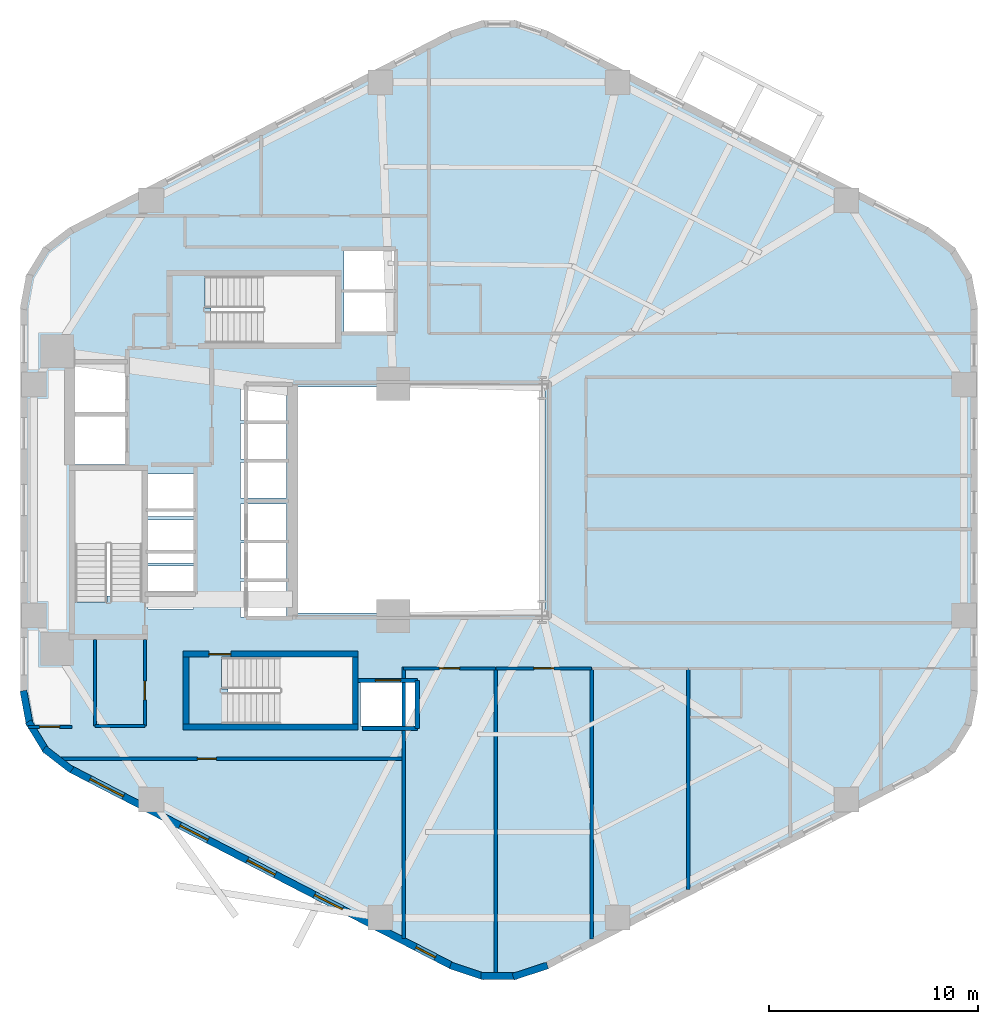
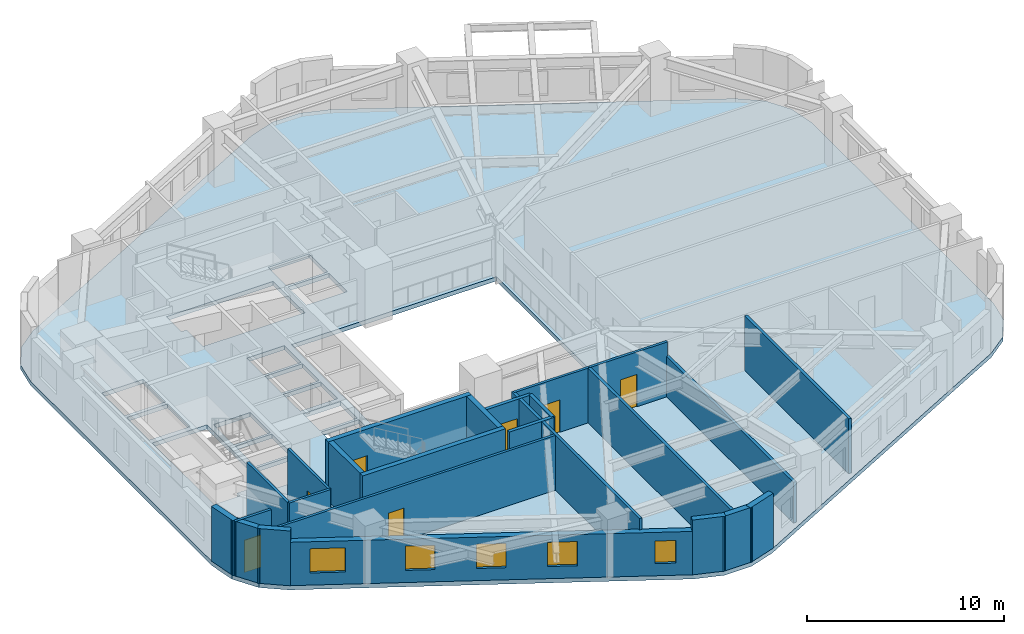
# One storey, part 2 of 7: 25 walls, 7 doors, 5 windows, 1 slab, 12 openings.
"""IFC4 building model written with IfcOpenShell, lengths in metres."""

from ifc_helpers import new_model, si_unit, direction, frame, frame_2d, origin, place, context, subcontext, project, spatial, polyline, rectangle, outline, extrude, material, layer, layer_set, type_object, element, fill, save


model = new_model("IFC4")

# Units and contexts
model_context = context("Model", 3, precision=1e-05, world=origin(), true_north=direction((0.0, 1.0)))
body_context = subcontext(model_context, "Body", "Model", "MODEL_VIEW")
ifc_project = project(units=[si_unit("LENGTHUNIT", "METRE"), si_unit("AREAUNIT", "SQUARE_METRE"), si_unit("VOLUMEUNIT", "CUBIC_METRE"), si_unit("PLANEANGLEUNIT", "RADIAN"), si_unit("MASSUNIT", "GRAM", prefix="KILO"), si_unit("THERMODYNAMICTEMPERATUREUNIT", "KELVIN"), si_unit("POWERUNIT", "WATT")], contexts=[model_context])

# Site, building, storey
site_placement = place(None, origin())
site = spatial("IfcSite", under=ifc_project, at=site_placement, CompositionType="ELEMENT")
building_placement = place(site_placement, origin())
building = spatial("IfcBuilding", under=site, at=building_placement, Name="Skarre Station Tower", CompositionType="ELEMENT")
storey_placement = place(building_placement, frame((0.0, 0.0, 78.10009765625)))
storey = spatial("IfcBuildingStorey", under=building, at=storey_placement, Name="L20", CompositionType="ELEMENT", Elevation=78.10009765625)

# Slab
ifc_material_1 = material(Name="Concrete C50/60", Category="concrete")
ifc_layer_1 = layer(ifc_material_1, 0.260009765625, Name="Concrete C50/60")
ifc_layer_set_1 = layer_set([ifc_layer_1], Name="Concrete C50/60")
slab_type = type_object("IfcSlabType", Name="Tower Typical Composite Floor Slab 260", PredefinedType="FLOOR", material=ifc_layer_set_1)
slab_placement = place(storey_placement, frame((0.0, 0.0, -0.260009765625)))
element("IfcSlab", 1, at=slab_placement, inside=storey, type_object=slab_type, Name="L20 Zone 1 Structural Floor Slab", PredefinedType="FLOOR", context=body_context, shape_type="SweptSolid", body=[
    extrude(outline(polyline([(60.262939453125, 33.201904296875), (59.98193359375, 34.72412109375), (59.177001953125, 36.044921875), (57.9541015625, 36.991943359375), (39.708984375, 46.407958984375), (38.196044921875, 46.906005859375), (36.60400390625, 46.906005859375), (35.091064453125, 46.407958984375), (16.845947265625, 36.991943359375), (15.623046875, 36.044921875), (14.818115234375, 34.72412109375), (14.537109375, 33.201904296875), (14.537109375, 14.798095703125), (14.818115234375, 13.27587890625), (15.623046875, 11.955078125), (16.845947265625, 11.008056640625), (35.091064453125, 1.592041015625), (36.60400390625, 1.093994140625), (38.196044921875, 1.093994140625), (39.708984375, 1.592041015625), (57.9541015625, 11.008056640625), (59.177001953125, 11.955078125), (59.98193359375, 13.27587890625), (60.262939453125, 14.798095703125), (60.262939453125, 33.201904296875)]), holes=[polyline([(18.669921875, 19.419921875), (18.669921875, 19.123046875), (17.14990234375, 19.123046875), (17.14990234375, 25.39990234375), (20.35009765625, 25.39990234375), (20.35009765625, 19.419921875), (18.669921875, 19.419921875)]), polyline([(24.449951171875, 14.97998046875), (24.153076171875, 14.97998046875), (24.153076171875, 16.5), (30.39990234375, 16.5), (30.39990234375, 13.300048828125), (24.449951171875, 13.300048828125), (24.449951171875, 14.97998046875)]), polyline([(23.64990234375, 33.179931640625), (23.35302734375, 33.179931640625), (23.35302734375, 34.699951171875), (29.60009765625, 34.699951171875), (29.60009765625, 31.5), (23.64990234375, 31.5), (23.64990234375, 33.179931640625)]), polyline([(17.14990234375, 28.0), (19.550048828125, 28.0), (19.550048828125, 25.699951171875), (17.14990234375, 25.699951171875), (17.14990234375, 28.0)]), polyline([(17.14990234375, 30.5), (19.550048828125, 30.5), (19.550048828125, 28.199951171875), (17.14990234375, 28.199951171875), (17.14990234375, 30.5)]), polyline([(30.800048828125, 15.300048828125), (33.39990234375, 15.300048828125), (33.39990234375, 13.199951171875), (30.800048828125, 13.199951171875), (30.800048828125, 15.300048828125)]), polyline([(25.050048828125, 20.10009765625), (27.25, 20.10009765625), (27.25, 18.39990234375), (25.050048828125, 18.39990234375), (25.050048828125, 20.10009765625)]), polyline([(25.050048828125, 21.949951171875), (27.25, 21.949951171875), (27.25, 20.25), (25.050048828125, 20.25), (25.050048828125, 21.949951171875)]), polyline([(25.050048828125, 23.800048828125), (27.25, 23.800048828125), (27.25, 22.10009765625), (25.050048828125, 22.10009765625), (25.050048828125, 23.800048828125)]), polyline([(25.050048828125, 25.800048828125), (27.25, 25.800048828125), (27.25, 24.10009765625), (25.050048828125, 24.10009765625), (25.050048828125, 25.800048828125)]), polyline([(25.050048828125, 27.64990234375), (27.25, 27.64990234375), (27.25, 25.949951171875), (25.050048828125, 25.949951171875), (25.050048828125, 27.64990234375)]), polyline([(25.050048828125, 29.5), (27.25, 29.5), (27.25, 27.800048828125), (25.050048828125, 27.800048828125), (25.050048828125, 29.5)]), polyline([(20.64990234375, 20.85009765625), (22.800048828125, 20.85009765625), (22.800048828125, 18.800048828125), (20.64990234375, 18.800048828125), (20.64990234375, 20.85009765625)]), polyline([(20.64990234375, 23.050048828125), (22.800048828125, 23.050048828125), (22.800048828125, 21.0), (20.64990234375, 21.0), (20.64990234375, 23.050048828125)]), polyline([(20.64990234375, 25.25), (22.800048828125, 25.25), (22.800048828125, 23.199951171875), (20.64990234375, 23.199951171875), (20.64990234375, 25.25)]), polyline([(30.0, 33.89990234375), (32.39990234375, 33.89990234375), (32.39990234375, 32.050048828125), (30.0, 32.050048828125), (30.0, 33.89990234375)]), polyline([(30.0, 35.89990234375), (32.39990234375, 35.89990234375), (32.39990234375, 34.050048828125), (30.0, 34.050048828125), (30.0, 35.89990234375)]), polyline([(27.60009765625, 29.39990234375), (39.60009765625, 29.39990234375), (39.60009765625, 18.60009765625), (27.60009765625, 18.60009765625), (27.60009765625, 29.39990234375)])]), origin(), (0.0, 0.0, 1.0), 0.260009765625),
])

# Walls
ifc_material_2 = material(Name="Acoustic Steel-Stud Gypsum Partition", Category="steel")
ifc_layer_2 = layer(ifc_material_2, 0.14990234375, Name="Acoustic Steel-Stud Gypsum Partition")
ifc_layer_set_2 = layer_set([ifc_layer_2], Name="Acoustic Steel-Stud Gypsum Partition")
wall_type_1 = type_object("IfcWallType", Name="Fire-Rated Corridor Acoustic Partition 150", PredefinedType="PARTITIONING", material=ifc_layer_set_2)
wall_1_placement = place(storey_placement, frame((18.10009765625, 17.340087890625, 0.0), z_axis=(0.0, 0.0, 1.0), x_axis=(0.0, -1.0, 0.0)))
element("IfcWall", 2, at=wall_1_placement, inside=storey, type_object=wall_type_1, Name="L20 Interior Partition WL-PT-L20-CSVC-W", PredefinedType="PARTITIONING", context=body_context, shape_type="SweptSolid", body=[
    extrude(rectangle(XDim=4.14013671875, YDim=0.14990234375, at=frame_2d((2.070068359375, 0.0))), origin(), (0.0, 0.0, 1.0), 3.389892578125),
])
wall_2_placement = place(storey_placement, frame((18.10009765625, 13.199951171875, 0.0), z_axis=(0.0, 0.0, 1.0), x_axis=(1.0, 0.0, 0.0)))
element("IfcWall", 3, at=wall_2_placement, inside=storey, type_object=wall_type_1, Name="L20 Interior Partition WL-PT-L20-CSVC-S", PredefinedType="PARTITIONING", context=body_context, shape_type="SweptSolid", body=[
    extrude(rectangle(XDim=2.389892578125, YDim=0.14990234375, at=frame_2d((1.19482421875, 0.0))), origin(), (0.0, 0.0, 1.0), 3.389892578125),
])

# Wall, opening, door
wall_3_placement = place(storey_placement, frame((20.489990234375, 13.199951171875, 0.0), z_axis=(0.0, 0.0, 1.0), x_axis=(0.0, 1.0, 0.0)))
wall_3 = element("IfcWall", 4, at=wall_3_placement, inside=storey, type_object=wall_type_1, Name="L20 Interior Partition WL-PT-L20-CSVC-E", PredefinedType="PARTITIONING", context=body_context, shape_type="SweptSolid", body=[
    extrude(rectangle(XDim=4.14013671875, YDim=0.14990234375, at=frame_2d((2.070068359375, 0.0))), origin(), (0.0, 0.0, 1.0), 3.389892578125),
])
opening_1_placement = place(wall_3_placement, frame((1.25, 0.0, 0.0)))
opening_1 = element("IfcOpeningElement", 5, at=opening_1_placement, cuts=wall_3, Name="Opening DR-SVC90", PredefinedType="OPENING", context=body_context, shape_type="SweptSolid", body=[
    extrude(rectangle(XDim=0.89990234375, YDim=2.0, at=frame_2d((0.449951171875, 1.0))), frame((0.0, 0.0849609375, 0.0), z_axis=(0.0, -1.0, 0.0), x_axis=(1.0, 0.0, 0.0)), (0.0, 0.0, 1.0), 0.169921875),
])
ifc_material_3 = material(Name="Powder-Coated Hollow-Metal Acoustic Fire Leaf", Category="steel")
door_type_1 = type_object("IfcDoorType", Name="Service & Riser Fire Door FD60 900x2100", OperationType="SINGLE_SWING_LEFT", PredefinedType="DOOR", material=ifc_material_3)
door_1_placement = place(opening_1_placement, origin())
door_1 = element("IfcDoor", 6, at=door_1_placement, inside=storey, type_object=door_type_1, Name="L20 Core Pantry Door", OperationType="SINGLE_SWING_LEFT", OverallHeight=2.0, OverallWidth=0.89990234375, PredefinedType="DOOR", context=body_context, shape_type="SweptSolid", body=[
    extrude(rectangle(XDim=0.89990234375, YDim=2.0, at=frame_2d((0.449951171875, 1.0))), frame((0.0, 0.02490234375, 0.0), z_axis=(0.0, -1.0, 0.0), x_axis=(1.0, 0.0, 0.0)), (0.0, 0.0, 1.0), 0.050048828125),
])
fill(opening_1, door_1)

wall_4_placement = place(storey_placement, frame((16.487060546875, 11.639892578125, 0.0), z_axis=(0.0, 0.0, 1.0), x_axis=(1.0, 0.0, 0.0)))
wall_4 = element("IfcWall", 7, at=wall_4_placement, inside=storey, type_object=wall_type_1, Name="L20 Interior Partition WL-PT-L20-SWP-N", PredefinedType="PARTITIONING", context=body_context, shape_type="SweptSolid", body=[
    extrude(rectangle(XDim=16.363037109375, YDim=0.14990234375, at=frame_2d((8.181640625, 0.0))), origin(), (0.0, 0.0, 1.0), 3.389892578125),
])
opening_2_placement = place(wall_4_placement, frame((6.512939453125, 0.0, 0.0)))
opening_2 = element("IfcOpeningElement", 8, at=opening_2_placement, cuts=wall_4, Name="Opening DR-SVC90", PredefinedType="OPENING", context=body_context, shape_type="SweptSolid", body=[
    extrude(rectangle(XDim=0.89990234375, YDim=2.0, at=frame_2d((0.449951171875, 1.0))), frame((0.0, 0.0849609375, 0.0), z_axis=(0.0, -1.0, 0.0), x_axis=(1.0, 0.0, 0.0)), (0.0, 0.0, 1.0), 0.169921875),
])
door_2_placement = place(opening_2_placement, origin())
door_2 = element("IfcDoor", 9, at=door_2_placement, inside=storey, type_object=door_type_1, Name="L20 Floor Public Toilets Door", OperationType="SINGLE_SWING_LEFT", OverallHeight=2.0, OverallWidth=0.89990234375, PredefinedType="DOOR", context=body_context, shape_type="SweptSolid", body=[
    extrude(rectangle(XDim=0.89990234375, YDim=2.0, at=frame_2d((0.449951171875, 1.0))), frame((0.0, 0.02490234375, 0.0), z_axis=(0.0, -1.0, 0.0), x_axis=(1.0, 0.0, 0.0)), (0.0, 0.0, 1.0), 0.050048828125),
])
fill(opening_2, door_2)

wall_5_placement = place(storey_placement, frame((17.02001953125, 13.159912109375, 0.0), z_axis=(0.0, 0.0, 1.0), x_axis=(-1.0, 0.0, 0.0)))
wall_5 = element("IfcWall", 10, at=wall_5_placement, inside=storey, type_object=wall_type_1, Name="L20 Interior Partition WL-PT-L20-WW1-CW", PredefinedType="PARTITIONING", context=body_context, shape_type="SweptSolid", body=[
    extrude(rectangle(XDim=2.1201171875, YDim=0.14990234375, at=frame_2d((1.06005859375, 0.0))), origin(), (0.0, 0.0, 1.0), 3.389892578125),
])
opening_3_placement = place(wall_5_placement, frame((0.596923828125, 0.0, 0.0)))
opening_3 = element("IfcOpeningElement", 11, at=opening_3_placement, cuts=wall_5, Name="Opening DR-FD60", PredefinedType="OPENING", context=body_context, shape_type="SweptSolid", body=[
    extrude(rectangle(XDim=0.9599609375, YDim=2.0, at=frame_2d((0.47998046875, 1.0))), frame((0.0, 0.0849609375, 0.0), z_axis=(0.0, -1.0, 0.0), x_axis=(1.0, 0.0, 0.0)), (0.0, 0.0, 1.0), 0.169921875),
])
ifc_material_4 = material(Name="Nordic White-Oak Veneer Solid-Core Fire Leaf", Category="wood")
door_type_2 = type_object("IfcDoorType", Name="Corridor Suite Entry Fire Door FD60 960x2150", OperationType="SINGLE_SWING_LEFT", PredefinedType="DOOR", material=ifc_material_4)
door_3_placement = place(opening_3_placement, origin())
door_3 = element("IfcDoor", 12, at=door_3_placement, inside=storey, type_object=door_type_2, Name="L20 WW1 Entry Door", OperationType="SINGLE_SWING_LEFT", OverallHeight=2.0, OverallWidth=0.9599609375, PredefinedType="DOOR", context=body_context, shape_type="SweptSolid", body=[
    extrude(rectangle(XDim=0.9599609375, YDim=2.0, at=frame_2d((0.47998046875, 1.0))), frame((0.0, 0.02490234375, 0.0), z_axis=(0.0, -1.0, 0.0), x_axis=(1.0, 0.0, 0.0)), (0.0, 0.0, 1.0), 0.050048828125),
])
fill(opening_3, door_3)

wall_6_placement = place(storey_placement, frame((32.85009765625, 15.9599609375, 0.0), z_axis=(0.0, 0.0, 1.0), x_axis=(1.0, 0.0, 0.0)))
wall_6 = element("IfcWall", 13, at=wall_6_placement, inside=storey, type_object=wall_type_1, Name="L20 Interior Partition WL-PT-L20-SW1-CW", PredefinedType="PARTITIONING", context=body_context, shape_type="SweptSolid", body=[
    extrude(rectangle(XDim=4.37890625, YDim=0.14990234375, at=frame_2d((2.189453125, 0.0))), origin(), (0.0, 0.0, 1.0), 3.389892578125),
])
opening_4_placement = place(wall_6_placement, frame((1.7099609375, 0.0, 0.0)))
opening_4 = element("IfcOpeningElement", 14, at=opening_4_placement, cuts=wall_6, Name="Opening DR-FD60", PredefinedType="OPENING", context=body_context, shape_type="SweptSolid", body=[
    extrude(rectangle(XDim=0.9599609375, YDim=2.0, at=frame_2d((0.47998046875, 1.0))), frame((0.0, 0.0849609375, 0.0), z_axis=(0.0, -1.0, 0.0), x_axis=(1.0, 0.0, 0.0)), (0.0, 0.0, 1.0), 0.169921875),
])
door_4_placement = place(opening_4_placement, origin())
door_4 = element("IfcDoor", 15, at=door_4_placement, inside=storey, type_object=door_type_2, Name="L20 SW1 Entry Door", OperationType="SINGLE_SWING_LEFT", OverallHeight=2.0, OverallWidth=0.9599609375, PredefinedType="DOOR", context=body_context, shape_type="SweptSolid", body=[
    extrude(rectangle(XDim=0.9599609375, YDim=2.0, at=frame_2d((0.47998046875, 1.0))), frame((0.0, 0.02490234375, 0.0), z_axis=(0.0, -1.0, 0.0), x_axis=(1.0, 0.0, 0.0)), (0.0, 0.0, 1.0), 0.050048828125),
])
fill(opening_4, door_4)

wall_7_placement = place(storey_placement, frame((37.264892578125, 15.9599609375, 0.0), z_axis=(0.0, 0.0, 1.0), x_axis=(1.0, 0.0, 0.0)))
wall_7 = element("IfcWall", 16, at=wall_7_placement, inside=storey, type_object=wall_type_1, Name="L20 Interior Partition WL-PT-L20-SW2-CW", PredefinedType="PARTITIONING", context=body_context, shape_type="SweptSolid", body=[
    extrude(rectangle(XDim=4.56103515625, YDim=0.14990234375, at=frame_2d((2.280517578125, 0.0))), origin(), (0.0, 0.0, 1.0), 3.389892578125),
])
opening_5_placement = place(wall_7_placement, frame((1.801025390625, 0.0, 0.0)))
opening_5 = element("IfcOpeningElement", 17, at=opening_5_placement, cuts=wall_7, Name="Opening DR-FD60", PredefinedType="OPENING", context=body_context, shape_type="SweptSolid", body=[
    extrude(rectangle(XDim=0.9599609375, YDim=2.0, at=frame_2d((0.47998046875, 1.0))), frame((0.0, 0.0849609375, 0.0), z_axis=(0.0, -1.0, 0.0), x_axis=(1.0, 0.0, 0.0)), (0.0, 0.0, 1.0), 0.169921875),
])
door_5_placement = place(opening_5_placement, origin())
door_5 = element("IfcDoor", 18, at=door_5_placement, inside=storey, type_object=door_type_2, Name="L20 SW2 Entry Door", OperationType="SINGLE_SWING_LEFT", OverallHeight=2.0, OverallWidth=0.9599609375, PredefinedType="DOOR", context=body_context, shape_type="SweptSolid", body=[
    extrude(rectangle(XDim=0.9599609375, YDim=2.0, at=frame_2d((0.47998046875, 1.0))), frame((0.0, 0.02490234375, 0.0), z_axis=(0.0, -1.0, 0.0), x_axis=(1.0, 0.0, 0.0)), (0.0, 0.0, 1.0), 0.050048828125),
])
fill(opening_5, door_5)

# Wall, openings, windows
ifc_material_5 = material(Name="Precast concrete C45/55", Category="concrete")
ifc_layer_3 = layer(ifc_material_5, 0.340087890625, Name="Precast concrete C45/55")
ifc_layer_set_3 = layer_set([ifc_layer_3], Name="Precast concrete C45/55")
wall_type_2 = type_object("IfcWallType", Name="Nordic Honed Precast Facet Wall 340", PredefinedType="STANDARD", material=ifc_layer_set_3)
wall_8_placement = place(storey_placement, frame((35.1689453125, 1.742919921875, 0.0), z_axis=(0.0, 0.0, 1.0), x_axis=(-0.888634413993, 0.458616264721, 0.0)))
wall_8 = element("IfcWall", 19, at=wall_8_placement, inside=storey, type_object=wall_type_2, Name="L20 Facet 3 Nordic Precast Masonry Wall", PredefinedType="STANDARD", context=body_context, shape_type="SweptSolid", body=[
    extrude(rectangle(XDim=20.53125, YDim=0.340087890625, at=frame_2d((10.265625, 0.0))), origin(), (0.0, 0.0, 1.0), 2.683837890625),
])
opening_6_placement = place(wall_8_placement, frame((0.902099609375, 0.0, 0.75)))
opening_6 = element("IfcOpeningElement", 20, at=opening_6_placement, cuts=wall_8, Name="Opening WN-SLT", PredefinedType="OPENING", context=body_context, shape_type="SweptSolid", body=[
    extrude(rectangle(XDim=1.050048828125, YDim=1.39990234375, at=frame_2d((0.52490234375, 0.699951171875))), frame((0.0, 0.179931640625, 0.0), z_axis=(0.0, -1.0, 0.0), x_axis=(1.0, 0.0, 0.0)), (0.0, 0.0, 1.0), 0.360107421875),
])
opening_7_placement = place(wall_8_placement, frame((5.903076171875, 0.0, 0.75)))
opening_7 = element("IfcOpeningElement", 21, at=opening_7_placement, cuts=wall_8, Name="Opening WN-Z1B", PredefinedType="OPENING", context=body_context, shape_type="SweptSolid", body=[
    extrude(rectangle(XDim=1.5, YDim=1.5, at=frame_2d((0.75, 0.75))), frame((0.0, 0.179931640625, 0.0), z_axis=(0.0, -1.0, 0.0), x_axis=(1.0, 0.0, 0.0)), (0.0, 0.0, 1.0), 0.360107421875),
])
opening_8_placement = place(wall_8_placement, frame((9.51611328125, 0.0, 0.75)))
opening_8 = element("IfcOpeningElement", 22, at=opening_8_placement, cuts=wall_8, Name="Opening WN-Z1B", PredefinedType="OPENING", context=body_context, shape_type="SweptSolid", body=[
    extrude(rectangle(XDim=1.5, YDim=1.5, at=frame_2d((0.75, 0.75))), frame((0.0, 0.179931640625, 0.0), z_axis=(0.0, -1.0, 0.0), x_axis=(1.0, 0.0, 0.0)), (0.0, 0.0, 1.0), 0.360107421875),
])
opening_9_placement = place(wall_8_placement, frame((13.12890625, 0.0, 0.75)))
opening_9 = element("IfcOpeningElement", 23, at=opening_9_placement, cuts=wall_8, Name="Opening WN-Z1B", PredefinedType="OPENING", context=body_context, shape_type="SweptSolid", body=[
    extrude(rectangle(XDim=1.5, YDim=1.5, at=frame_2d((0.75, 0.75))), frame((0.0, 0.179931640625, 0.0), z_axis=(0.0, -1.0, 0.0), x_axis=(1.0, 0.0, 0.0)), (0.0, 0.0, 1.0), 0.360107421875),
])
opening_10_placement = place(wall_8_placement, frame((17.673095703125, 0.0, 0.75)))
opening_10 = element("IfcOpeningElement", 24, at=opening_10_placement, cuts=wall_8, Name="Opening WN-Z1A", PredefinedType="OPENING", context=body_context, shape_type="SweptSolid", body=[
    extrude(rectangle(XDim=1.800048828125, YDim=1.5, at=frame_2d((0.89990234375, 0.75))), frame((0.0, 0.179931640625, 0.0), z_axis=(0.0, -1.0, 0.0), x_axis=(1.0, 0.0, 0.0)), (0.0, 0.0, 1.0), 0.360107421875),
])
ifc_material_6 = material(Name="Low-Iron Triple Glazing with Bronze Anodized Frame", Category="glass")
window_type_1 = type_object("IfcWindowType", Name="Nordic Corner Slot Window 1050x1400", PartitioningType="SINGLE_PANEL", PredefinedType="WINDOW", material=ifc_material_6)
window_1_placement = place(opening_6_placement, origin())
window_1 = element("IfcWindow", 25, at=window_1_placement, inside=storey, type_object=window_type_1, Name="L20 Facade Window WL-FAC-L20-F3-1", OverallHeight=1.39990234375, OverallWidth=1.050048828125, PartitioningType="SINGLE_PANEL", PredefinedType="WINDOW", context=body_context, shape_type="SweptSolid", body=[
    extrude(rectangle(XDim=1.050048828125, YDim=1.39990234375, at=frame_2d((0.52490234375, 0.699951171875))), frame((0.0, 0.030029296875, 0.0), z_axis=(0.0, -1.0, 0.0), x_axis=(1.0, 0.0, 0.0)), (0.0, 0.0, 1.0), 0.06005859375),
])
fill(opening_6, window_1)
window_type_2 = type_object("IfcWindowType", Name="Nordic Punched Triple-Glazed Window 1500x1500", PartitioningType="SINGLE_PANEL", PredefinedType="WINDOW", material=ifc_material_6)
window_2_placement = place(opening_7_placement, origin())
window_2 = element("IfcWindow", 26, at=window_2_placement, inside=storey, type_object=window_type_2, Name="L20 Facade Window WL-FAC-L20-F3-2", OverallHeight=1.5, OverallWidth=1.5, PartitioningType="SINGLE_PANEL", PredefinedType="WINDOW", context=body_context, shape_type="SweptSolid", body=[
    extrude(rectangle(XDim=1.5, YDim=1.5, at=frame_2d((0.75, 0.75))), frame((0.0, 0.030029296875, 0.0), z_axis=(0.0, -1.0, 0.0), x_axis=(1.0, 0.0, 0.0)), (0.0, 0.0, 1.0), 0.06005859375),
])
fill(opening_7, window_2)
window_3_placement = place(opening_8_placement, origin())
window_3 = element("IfcWindow", 27, at=window_3_placement, inside=storey, type_object=window_type_2, Name="L20 Facade Window WL-FAC-L20-F3-3", OverallHeight=1.5, OverallWidth=1.5, PartitioningType="SINGLE_PANEL", PredefinedType="WINDOW", context=body_context, shape_type="SweptSolid", body=[
    extrude(rectangle(XDim=1.5, YDim=1.5, at=frame_2d((0.75, 0.75))), frame((0.0, 0.030029296875, 0.0), z_axis=(0.0, -1.0, 0.0), x_axis=(1.0, 0.0, 0.0)), (0.0, 0.0, 1.0), 0.06005859375),
])
fill(opening_8, window_3)
window_4_placement = place(opening_9_placement, origin())
window_4 = element("IfcWindow", 28, at=window_4_placement, inside=storey, type_object=window_type_2, Name="L20 Facade Window WL-FAC-L20-F3-4", OverallHeight=1.5, OverallWidth=1.5, PartitioningType="SINGLE_PANEL", PredefinedType="WINDOW", context=body_context, shape_type="SweptSolid", body=[
    extrude(rectangle(XDim=1.5, YDim=1.5, at=frame_2d((0.75, 0.75))), frame((0.0, 0.030029296875, 0.0), z_axis=(0.0, -1.0, 0.0), x_axis=(1.0, 0.0, 0.0)), (0.0, 0.0, 1.0), 0.06005859375),
])
fill(opening_9, window_4)
window_type_3 = type_object("IfcWindowType", Name="Nordic Punched Triple-Glazed Window 1800x1500", PartitioningType="SINGLE_PANEL", PredefinedType="WINDOW", material=ifc_material_6)
window_5_placement = place(opening_10_placement, origin())
window_5 = element("IfcWindow", 29, at=window_5_placement, inside=storey, type_object=window_type_3, Name="L20 Facade Window WL-FAC-L20-F3-5", OverallHeight=1.5, OverallWidth=1.800048828125, PartitioningType="SINGLE_PANEL", PredefinedType="WINDOW", context=body_context, shape_type="SweptSolid", body=[
    extrude(rectangle(XDim=1.800048828125, YDim=1.5, at=frame_2d((0.89990234375, 0.75))), frame((0.0, 0.030029296875, 0.0), z_axis=(0.0, -1.0, 0.0), x_axis=(1.0, 0.0, 0.0)), (0.0, 0.0, 1.0), 0.06005859375),
])
fill(opening_10, window_5)

# Walls
ifc_layer_4 = layer(ifc_material_5, 0.330078125, Name="Precast concrete C45/55")
ifc_layer_set_4 = layer_set([ifc_layer_4], Name="Precast concrete C45/55")
wall_type_3 = type_object("IfcWallType", Name="Nordic Rounded Corner Precast Wall 330", PredefinedType="STANDARD", material=ifc_layer_set_4)
wall_9_placement = place(storey_placement, frame((16.998046875, 11.09912109375, 0.0), z_axis=(0.0, 0.0, 1.0), x_axis=(-0.790691856293, 0.61221433207, 0.0)))
element("IfcWall", 30, at=wall_9_placement, inside=storey, type_object=wall_type_3, Name="L20 Rounded Corner Precast Wall F3-1", PredefinedType="STANDARD", context=body_context, shape_type="SweptSolid", body=[
    extrude(rectangle(XDim=1.67578125, YDim=0.330078125, at=frame_2d((0.837890625, 0.0))), origin(), (0.0, 0.0, 1.0), 3.389892578125),
])
wall_10_placement = place(storey_placement, frame((15.798095703125, 11.985107421875, 0.0), z_axis=(0.0, 0.0, 1.0), x_axis=(-0.520584129191, 0.853810379671, 0.0)))
element("IfcWall", 31, at=wall_10_placement, inside=storey, type_object=wall_type_3, Name="L20 Rounded Corner Precast Wall F3-2", PredefinedType="STANDARD", context=body_context, shape_type="SweptSolid", body=[
    extrude(rectangle(XDim=1.677001953125, YDim=0.330078125, at=frame_2d((0.83837890625, 0.0))), origin(), (0.0, 0.0, 1.0), 3.389892578125),
])
wall_11_placement = place(storey_placement, frame((14.991943359375, 13.241943359375, 0.0), z_axis=(0.0, 0.0, 1.0), x_axis=(-0.181714143354, 0.983351397063, 0.0)))
element("IfcWall", 32, at=wall_11_placement, inside=storey, type_object=wall_type_3, Name="L20 Rounded Corner Precast Wall F3-3", PredefinedType="STANDARD", context=body_context, shape_type="SweptSolid", body=[
    extrude(rectangle(XDim=1.677978515625, YDim=0.330078125, at=frame_2d((0.8388671875, 0.0))), origin(), (0.0, 0.0, 1.0), 3.389892578125),
])
wall_12_placement = place(storey_placement, frame((39.718994140625, 1.76904296875, 0.0), z_axis=(0.0, 0.0, 1.0), x_axis=(-0.94976901097, -0.312951794691, 0.0)))
element("IfcWall", 33, at=wall_12_placement, inside=storey, type_object=wall_type_3, Name="L20 Rounded Corner Precast Wall F4-1", PredefinedType="STANDARD", context=body_context, shape_type="SweptSolid", body=[
    extrude(rectangle(XDim=1.722412109375, YDim=0.330078125, at=frame_2d((0.861328125, 0.0))), origin(), (0.0, 0.0, 1.0), 3.389892578125),
])
wall_13_placement = place(storey_placement, frame((38.260986328125, 1.259033203125, 0.0), z_axis=(0.0, 0.0, 1.0), x_axis=(-1.0, 0.0, 0.0)))
element("IfcWall", 34, at=wall_13_placement, inside=storey, type_object=wall_type_3, Name="L20 Rounded Corner Precast Wall F4-2", PredefinedType="STANDARD", context=body_context, shape_type="SweptSolid", body=[
    extrude(rectangle(XDim=1.721923828125, YDim=0.330078125, at=frame_2d((0.86083984375, 0.0))), origin(), (0.0, 0.0, 1.0), 3.389892578125),
])
wall_14_placement = place(storey_placement, frame((36.717041015625, 1.22998046875, 0.0), z_axis=(0.0, 0.0, 1.0), x_axis=(-0.94976901097, 0.312951794691, 0.0)))
element("IfcWall", 35, at=wall_14_placement, inside=storey, type_object=wall_type_3, Name="L20 Rounded Corner Precast Wall F4-3", PredefinedType="STANDARD", context=body_context, shape_type="SweptSolid", body=[
    extrude(rectangle(XDim=1.722412109375, YDim=0.330078125, at=frame_2d((0.861328125, 0.0))), origin(), (0.0, 0.0, 1.0), 3.389892578125),
])
ifc_layer_5 = layer(ifc_material_1, 0.280029296875, Name="Concrete C50/60")
ifc_layer_set_5 = layer_set([ifc_layer_5], Name="Concrete C50/60")
wall_type_4 = type_object("IfcWallType", Name="RC Core Shear Wall 280", PredefinedType="SHEAR", material=ifc_layer_set_5)
wall_15_placement = place(storey_placement, frame((22.320068359375, 13.159912109375, 0.0), z_axis=(0.0, 0.0, 1.0), x_axis=(1.0, 0.0, 0.0)))
element("IfcWall", 36, at=wall_15_placement, inside=storey, type_object=wall_type_4, Name="L20 Stair ST-2 South Shear Wall", PredefinedType="SHEAR", context=body_context, shape_type="SweptSolid", body=[
    extrude(rectangle(XDim=8.35986328125, YDim=0.280029296875, at=frame_2d((4.179931640625, 0.0))), origin(), (0.0, 0.0, 1.0), 3.64990234375),
])

# Wall, opening, door
wall_16_placement = place(storey_placement, frame((30.679931640625, 16.639892578125, 0.0), z_axis=(0.0, 0.0, 1.0), x_axis=(-1.0, 0.0, 0.0)))
wall_16 = element("IfcWall", 37, at=wall_16_placement, inside=storey, type_object=wall_type_4, Name="L20 Stair ST-2 North Shear Wall", PredefinedType="SHEAR", context=body_context, shape_type="SweptSolid", body=[
    extrude(rectangle(XDim=8.35986328125, YDim=0.280029296875, at=frame_2d((4.179931640625, 0.0))), origin(), (0.0, 0.0, 1.0), 3.64990234375),
])
opening_11_placement = place(wall_16_placement, frame((6.080078125, 0.0, 0.0)))
opening_11 = element("IfcOpeningElement", 38, at=opening_11_placement, cuts=wall_16, Name="Opening DR-FD90", PredefinedType="OPENING", context=body_context, shape_type="SweptSolid", body=[
    extrude(rectangle(XDim=1.050048828125, YDim=2.0, at=frame_2d((0.52490234375, 1.0))), frame((0.0, 0.14990234375, 0.0), z_axis=(0.0, -1.0, 0.0), x_axis=(1.0, 0.0, 0.0)), (0.0, 0.0, 1.0), 0.300048828125),
])
ifc_material_7 = material(Name="Fire-Rated Insulated Steel Frame & Timber Core Leaf", Category="steel")
door_type_3 = type_object("IfcDoorType", Name="Stair & FSAE Lobby Fire Door FD90 1050x2150", OperationType="SINGLE_SWING_RIGHT", PredefinedType="DOOR", material=ifc_material_7)
door_6_placement = place(opening_11_placement, origin())
door_6 = element("IfcDoor", 39, at=door_6_placement, inside=storey, type_object=door_type_3, Name="L20 Stair ST-2 Exit Door", OperationType="SINGLE_SWING_RIGHT", OverallHeight=2.0, OverallWidth=1.050048828125, PredefinedType="DOOR", context=body_context, shape_type="SweptSolid", body=[
    extrude(rectangle(XDim=1.050048828125, YDim=2.0, at=frame_2d((0.52490234375, 1.0))), frame((0.0, 0.02490234375, 0.0), z_axis=(0.0, -1.0, 0.0), x_axis=(1.0, 0.0, 0.0)), (0.0, 0.0, 1.0), 0.050048828125),
])
fill(opening_11, door_6)

# Walls
for number, where, z_axis, x_axis, name in (
    (40, (22.4599609375, 16.5, 0.0), (0.0, 0.0, 1.0), (0.0, -1.0, 0.0), "L20 Stair ST-2 West Shear Wall"),
    (41, (30.5400390625, 13.300048828125, 0.0), (0.0, 0.0, 1.0), (0.0, 1.0, 0.0), "L20 Stair ST-2 East Shear Wall"),
):
    element("IfcWall", number, at=place(storey_placement, frame(where, z_axis=z_axis, x_axis=x_axis)), inside=storey, type_object=wall_type_4, Name=name, PredefinedType="SHEAR", context=body_context, shape_type="SweptSolid", body=[
        extrude(rectangle(XDim=3.199951171875, YDim=0.280029296875, at=frame_2d((1.60009765625, 0.0))), origin(), (0.0, 0.0, 1.0), 3.64990234375),
    ])

# Wall, opening, door
ifc_material_8 = material(Name="Gypsum Concrete Shaft Assembly C30/37", Category="concrete")
ifc_layer_6 = layer(ifc_material_8, 0.199951171875, Name="Gypsum Concrete Shaft Assembly C30/37")
ifc_layer_set_6 = layer_set([ifc_layer_6], Name="Gypsum Concrete Shaft Assembly C30/37")
wall_type_5 = type_object("IfcWallType", Name="Shaft & Core Fire Partition 200", PredefinedType="PARTITIONING", material=ifc_layer_set_6)
wall_17_placement = place(storey_placement, frame((33.5, 15.3798828125, 0.0), z_axis=(0.0, 0.0, 1.0), x_axis=(-1.0, 0.0, 0.0)))
wall_17 = element("IfcWall", 42, at=wall_17_placement, inside=storey, type_object=wall_type_5, Name="L20 Interior Partition WL-PT-L20-SV1-N", PredefinedType="PARTITIONING", context=body_context, shape_type="SweptSolid", body=[
    extrude(rectangle(XDim=2.820068359375, YDim=0.199951171875, at=frame_2d((1.41015625, 0.0))), origin(), (0.0, 0.0, 1.0), 3.389892578125),
])
opening_12_placement = place(wall_17_placement, frame((0.800048828125, 0.0, 0.0)))
opening_12 = element("IfcOpeningElement", 43, at=opening_12_placement, cuts=wall_17, Name="Opening LD-SV1", PredefinedType="OPENING", context=body_context, shape_type="SweptSolid", body=[
    extrude(rectangle(XDim=1.199951171875, YDim=2.199951171875, at=frame_2d((0.60009765625, 1.10009765625))), frame((0.0, 0.10986328125, 0.0), z_axis=(0.0, -1.0, 0.0), x_axis=(1.0, 0.0, 0.0)), (0.0, 0.0, 1.0), 0.219970703125),
])
ifc_material_9 = material(Name="Heavy-Gauge Brushed Stainless Steel Sliding Leaves", Category="steel")
door_type_4 = type_object("IfcDoorType", Name="Service Elevator Wide Sliding Landing Door 1200x2200", OperationType="SLIDING_TO_RIGHT", PredefinedType="DOOR", material=ifc_material_9)
door_7_placement = place(opening_12_placement, origin())
door_7 = element("IfcDoor", 44, at=door_7_placement, inside=storey, type_object=door_type_4, Name="L20 Service Lift LF-SV1 Landing Door", OperationType="SLIDING_TO_RIGHT", OverallHeight=2.199951171875, OverallWidth=1.199951171875, PredefinedType="DOOR", context=body_context, shape_type="SweptSolid", body=[
    extrude(rectangle(XDim=1.199951171875, YDim=2.199951171875, at=frame_2d((0.60009765625, 1.10009765625))), frame((0.0, 0.02490234375, 0.0), z_axis=(0.0, -1.0, 0.0), x_axis=(1.0, 0.0, 0.0)), (0.0, 0.0, 1.0), 0.050048828125),
])
fill(opening_12, door_7)

# Walls
wall_18_placement = place(storey_placement, frame((33.5, 13.080078125, 0.0), z_axis=(0.0, 0.0, 1.0), x_axis=(0.0, 1.0, 0.0)))
element("IfcWall", 45, at=wall_18_placement, inside=storey, type_object=wall_type_5, Name="L20 Interior Partition WL-PT-L20-SV1-E", PredefinedType="PARTITIONING", context=body_context, shape_type="SweptSolid", body=[
    extrude(rectangle(XDim=2.2998046875, YDim=0.199951171875, at=frame_2d((1.14990234375, 0.0))), origin(), (0.0, 0.0, 1.0), 3.389892578125),
])
wall_19_placement = place(storey_placement, frame((30.87890625, 13.080078125, 0.0), z_axis=(0.0, 0.0, 1.0), x_axis=(1.0, 0.0, 0.0)))
element("IfcWall", 46, at=wall_19_placement, inside=storey, type_object=wall_type_5, Name="L20 Interior Partition WL-PT-L20-SV1-S", PredefinedType="PARTITIONING", context=body_context, shape_type="SweptSolid", body=[
    extrude(rectangle(XDim=2.62109375, YDim=0.199951171875, at=frame_2d((1.310546875, 0.0))), origin(), (0.0, 0.0, 1.0), 3.389892578125),
])
ifc_layer_7 = layer(ifc_material_2, 0.1650390625, Name="Acoustic Steel-Stud Gypsum Partition")
ifc_layer_set_7 = layer_set([ifc_layer_7], Name="Acoustic Steel-Stud Gypsum Partition")
wall_type_6 = type_object("IfcWallType", Name="Suite Demising Acoustic Partition 165", PredefinedType="PARTITIONING", material=ifc_layer_set_7)
wall_20_placement = place(storey_placement, frame((32.85009765625, 3.06396484375, 0.0), z_axis=(0.0, 0.0, 1.0), x_axis=(0.0, 1.0, 0.0)))
element("IfcWall", 47, at=wall_20_placement, inside=storey, type_object=wall_type_6, Name="L20 Interior Partition WL-PT-L20-SWP-E", PredefinedType="PARTITIONING", context=body_context, shape_type="SweptSolid", body=[
    extrude(rectangle(XDim=12.966064453125, YDim=0.1650390625, at=frame_2d((6.48291015625, 0.0))), origin(), (0.0, 0.0, 1.0), 3.389892578125),
])
wall_21_placement = place(storey_placement, frame((37.2470703125, 1.384033203125, 0.0), z_axis=(0.0, 0.0, 1.0), x_axis=(0.0, 1.0, 0.0)))
element("IfcWall", 48, at=wall_21_placement, inside=storey, type_object=wall_type_6, Name="L20 Interior Partition WL-PT-L20-SW-P1", PredefinedType="PARTITIONING", context=body_context, shape_type="SweptSolid", body=[
    extrude(rectangle(XDim=14.5458984375, YDim=0.1650390625, at=frame_2d((7.27294921875, 0.0))), origin(), (0.0, 0.0, 1.0), 3.389892578125),
])
wall_22_placement = place(storey_placement, frame((41.843994140625, 3.02001953125, 0.0), z_axis=(0.0, 0.0, 1.0), x_axis=(0.0, 1.0, 0.0)))
element("IfcWall", 49, at=wall_22_placement, inside=storey, type_object=wall_type_6, Name="L20 Interior Partition WL-PT-L20-SW-P2", PredefinedType="PARTITIONING", context=body_context, shape_type="SweptSolid", body=[
    extrude(rectangle(XDim=12.909912109375, YDim=0.1650390625, at=frame_2d((6.455078125, 0.0))), origin(), (0.0, 0.0, 1.0), 2.512939453125),
])
wall_23_placement = place(storey_placement, frame((46.44189453125, 5.39306640625, 0.0), z_axis=(0.0, 0.0, 1.0), x_axis=(0.0, 1.0, 0.0)))
element("IfcWall", 50, at=wall_23_placement, inside=storey, type_object=wall_type_6, Name="L20 Interior Partition WL-PT-L20-SW-P3", PredefinedType="PARTITIONING", context=body_context, shape_type="SweptSolid", body=[
    extrude(rectangle(XDim=10.536865234375, YDim=0.1650390625, at=frame_2d((5.2685546875, 0.0))), origin(), (0.0, 0.0, 1.0), 3.389892578125),
])

save(model, "model.ifc")
